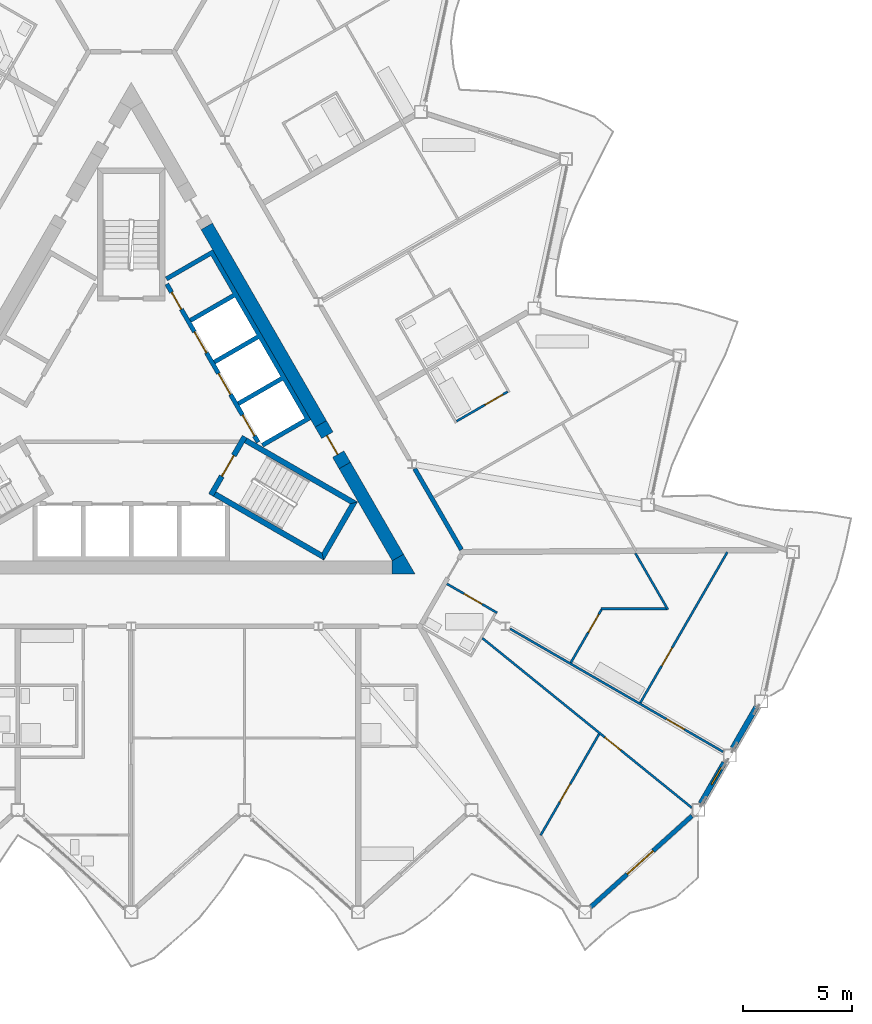
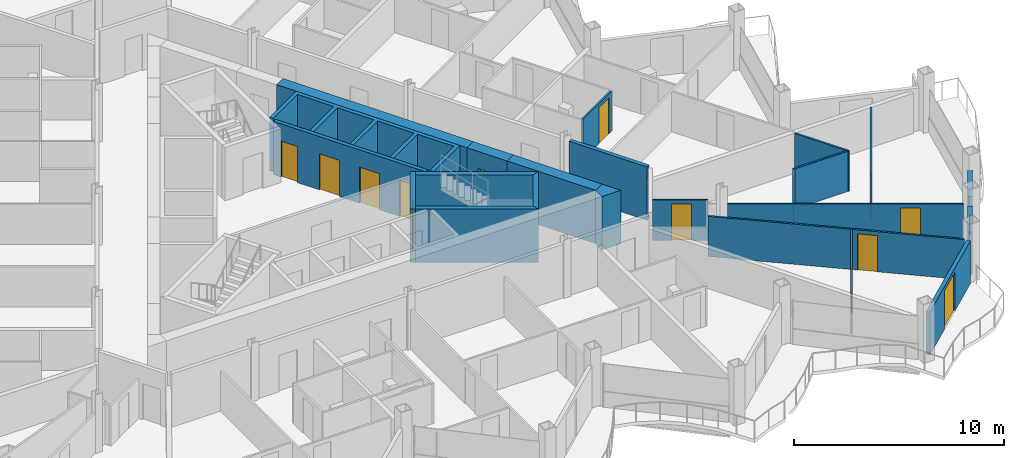
# One storey, part 15 of 26: 23 walls, 14 doors, 1 window, 15 openings.
"""IFC4 building model written with IfcOpenShell, lengths in metres."""

import ifcopenshell
import ifcopenshell.guid

model = None  # the IFC model being written
_history = None  # IfcOwnerHistory: only IFC2X3 demands one
_inside = {}  # id of a spatial element -> (the spatial element, [elements in it])
_under = {}  # id of a project, library or spatial element -> (it, [spatial elements below it])
_declared = {}  # id of a project -> (the project, [libraries it declares])
_typed = {}  # id of a type object -> (the type object, [elements of that type])
_made_of = {}  # id of a material, layer set ... -> (it, [elements and type objects made of it])


def new_model(schema):
    """Start an empty IFC model of exactly this schema.

    Asked for "IFC4X3", IfcOpenShell would pick the latest addendum, in which some entities
    have other attributes; the version numbers below select the first issue.
    IFC2X3 requires an IfcOwnerHistory on every rooted entity: one is made here for all.
    """
    global model, _history
    if schema == "IFC4X3":
        model = ifcopenshell.file(schema_version=(4, 3, 0, 0))
    else:
        model = ifcopenshell.file(schema=schema)
    _inside.clear()
    _under.clear()
    _declared.clear()
    _typed.clear()
    _made_of.clear()
    _history = None
    if model.schema == "IFC2X3":
        org = make("IfcOrganization", Name="unknown")
        user = make(
            "IfcPersonAndOrganization",
            ThePerson=make("IfcPerson", FamilyName="unknown"),
            TheOrganization=org,
        )
        app = make(
            "IfcApplication",
            ApplicationDeveloper=org,
            Version="unknown",
            ApplicationFullName="unknown",
            ApplicationIdentifier="unknown",
        )
        _history = make(
            "IfcOwnerHistory",
            OwningUser=user,
            OwningApplication=app,
            ChangeAction="ADDED",
            CreationDate=0,
        )
    return model


def make(cls, **values):
    """One entity of the class cls with the attributes given. An attribute that is None is left unset."""
    return model.create_entity(
        cls, **{name: value for name, value in values.items() if value is not None}
    )


def rooted(cls, **values):
    """An entity with a GlobalId (a new one), such as an element, a storey or a relation."""
    return make(cls, GlobalId=ifcopenshell.guid.new(), OwnerHistory=_history, **values)


def si_unit(unit_type, name, prefix=None):
    """IfcSIUnit, for example si_unit("LENGTHUNIT", "METRE", prefix="MILLI")."""
    return make("IfcSIUnit", UnitType=unit_type, Prefix=prefix, Name=name)


def assignment(units):
    """IfcUnitAssignment: the units of a project."""
    return None if units is None else make("IfcUnitAssignment", Units=units)


def point(xyz):
    """IfcCartesianPoint."""
    return None if xyz is None else make("IfcCartesianPoint", Coordinates=xyz)


def direction(xyz):
    """IfcDirection."""
    return None if xyz is None else make("IfcDirection", DirectionRatios=xyz)


def frame(location, z_axis=None, x_axis=None):
    """IfcAxis2Placement3D, a coordinate frame: its origin and axes. An axis left out is left unset."""
    return make(
        "IfcAxis2Placement3D",
        Location=point(location),
        Axis=direction(z_axis),
        RefDirection=direction(x_axis),
    )


def frame_2d(location, x_axis=None):
    """IfcAxis2Placement2D, a coordinate frame in the plane: its origin and x axis."""
    return make(
        "IfcAxis2Placement2D", Location=point(location), RefDirection=direction(x_axis)
    )


def origin():
    """The frame at (0, 0, 0) with its axes left unset."""
    return frame((0.0, 0.0, 0.0))


def place(relative_to, where):
    """IfcLocalPlacement: puts the frame where relative to a parent placement (None: the world)."""
    return make(
        "IfcLocalPlacement", PlacementRelTo=relative_to, RelativePlacement=where
    )


def context(
    kind, dimensions, precision=None, world=None, true_north=None, identifier=None
):
    """IfcGeometricRepresentationContext, for example the 3D "Model" context."""
    return make(
        "IfcGeometricRepresentationContext",
        ContextIdentifier=identifier,
        ContextType=kind,
        CoordinateSpaceDimension=dimensions,
        Precision=precision,
        WorldCoordinateSystem=world,
        TrueNorth=true_north,
    )


def subcontext(parent, identifier, kind, view, scale=None):
    """IfcGeometricRepresentationSubContext, for example "Body" below "Model"."""
    return make(
        "IfcGeometricRepresentationSubContext",
        ContextIdentifier=identifier,
        ContextType=kind,
        ParentContext=parent,
        TargetScale=scale,
        TargetView=view,
    )


def project(units=None, contexts=None):
    """IfcProject with its units and contexts."""
    return rooted(
        "IfcProject",
        Name="project",
        RepresentationContexts=contexts,
        UnitsInContext=assignment(units),
    )


def spatial(cls, under=None, at=None, **own):
    """A site, building, storey or space (cls), placed at a placement, below another one or the project."""
    s = rooted(cls, ObjectPlacement=at, **own)
    if under is not None:
        _under.setdefault(under.id(), (under, []))[1].append(s)
    return s


def polyline(points):
    """IfcPolyline through the points."""
    return make("IfcPolyline", Points=[point(p) for p in points])


def profile(cls, at=None, kind="AREA", **sizes):
    """A parametric profile (cls). Its sizes go by their IFC names, for example OverallWidth=200.0."""
    return make(cls, ProfileType=kind, Position=at, **sizes)


def rectangle(**sizes):
    """IfcRectangleProfileDef."""
    return profile("IfcRectangleProfileDef", **sizes)


def outline(outer, holes=None, kind="AREA"):
    """IfcArbitraryClosedProfileDef: a profile drawn as a closed curve; with holes, ...WithVoids."""
    if holes is None:
        return make("IfcArbitraryClosedProfileDef", ProfileType=kind, OuterCurve=outer)
    return make(
        "IfcArbitraryProfileDefWithVoids",
        ProfileType=kind,
        OuterCurve=outer,
        InnerCurves=holes,
    )


def extrude(swept, where, along, depth):
    """IfcExtrudedAreaSolid: the profile swept, set in the frame where, extruded along a direction by depth."""
    return make(
        "IfcExtrudedAreaSolid",
        SweptArea=swept,
        Position=where,
        ExtrudedDirection=direction(along),
        Depth=depth,
    )


def shape(context_of_items, identifier, shape_type, items):
    """IfcShapeRepresentation: the items that make up one representation, for example the "Body"."""
    return make(
        "IfcShapeRepresentation",
        ContextOfItems=context_of_items,
        RepresentationIdentifier=identifier,
        RepresentationType=shape_type,
        Items=items,
    )


def material(Name=None, Category=None):
    """IfcMaterial."""
    return make("IfcMaterial", Name=Name, Category=Category)


def layer(
    of_material, thickness, ventilated=None, Name=None, Category=None, Priority=None
):
    """IfcMaterialLayer: one layer of a wall or slab, of a material (None: an air gap)."""
    return make(
        "IfcMaterialLayer",
        Material=of_material,
        LayerThickness=thickness,
        IsVentilated=ventilated,
        Name=Name,
        Category=Category,
        Priority=Priority,
    )


def layer_set(layers, Name=None):
    """IfcMaterialLayerSet."""
    return make("IfcMaterialLayerSet", MaterialLayers=layers, LayerSetName=Name)


def made_of(thing, what):
    """Note that an element or type object is made of a material, layer set ...; save() writes the relation."""
    if what is not None:
        _made_of.setdefault(what.id(), (what, []))[1].append(thing)
    return thing


def type_object(cls, material=None, **own):
    """A type object (cls), such as IfcWallType, which elements share."""
    return made_of(rooted(cls, **own), material)


def element(
    cls,
    number,
    at=None,
    inside=None,
    cuts=None,
    type_object=None,
    material=None,
    context=None,
    identifier="Body",
    shape_type=None,
    held_by="IfcProductDefinitionShape",
    body=None,
    shapes=None,
    **own,
):
    """One element of the class cls, such as IfcWall. Its Tag is "e" and its number.

    at: its placement. inside: the storey or other place that contains it. cuts: it is an
    opening in that element (IfcRelVoidsElement). A single representation is given by context,
    identifier, shape_type and body (its items); several are given by shapes. held_by: the class
    of the entity that holds the representations. save() writes the other relations.
    """
    e = rooted(cls, Tag="e%d" % number, ObjectPlacement=at, **own)
    if body is not None:
        shapes = [shape(context, identifier, shape_type, body)]
    if shapes is not None:
        e.Representation = make(held_by, Representations=shapes)
    if inside is not None:
        _inside.setdefault(inside.id(), (inside, []))[1].append(e)
    if cuts is not None:
        rooted(
            "IfcRelVoidsElement", RelatingBuildingElement=cuts, RelatedOpeningElement=e
        )
    if type_object is not None:
        _typed.setdefault(type_object.id(), (type_object, []))[1].append(e)
    return made_of(e, material)


def fill(opening, filler):
    """IfcRelFillsElement: the door or window that sits in an opening."""
    return rooted(
        "IfcRelFillsElement",
        RelatingOpeningElement=opening,
        RelatedBuildingElement=filler,
    )


def aggregate(whole, parts):
    """IfcRelAggregates: a whole, such as a stair, and the parts it consists of."""
    return rooted("IfcRelAggregates", RelatingObject=whole, RelatedObjects=parts)


def save(model, path):
    """Write the relations noted so far, then the file.

    IfcRelAggregates (storeys below a building ...), IfcRelContainedInSpatialStructure (elements
    in a storey), IfcRelDefinesByType, IfcRelAssociatesMaterial and IfcRelDeclares: one each for
    every whole, place, type object, material and project.
    """
    for whole, parts in _under.values():
        aggregate(whole, parts)
    for where, things in _inside.values():
        rooted(
            "IfcRelContainedInSpatialStructure",
            RelatedElements=things,
            RelatingStructure=where,
        )
    for kind, things in _typed.values():
        rooted("IfcRelDefinesByType", RelatedObjects=things, RelatingType=kind)
    for what, things in _made_of.values():
        rooted("IfcRelAssociatesMaterial", RelatedObjects=things, RelatingMaterial=what)
    for by, libraries in _declared.values():
        rooted("IfcRelDeclares", RelatingContext=by, RelatedDefinitions=libraries)
    model.write(path)


model = new_model("IFC4")

# Units and contexts
model_context = context("Model", 3, precision=1e-05, world=origin(), true_north=direction((0.0, 1.0)))
body_context = subcontext(model_context, "Body", "Model", "MODEL_VIEW")
ifc_project = project(units=[si_unit("LENGTHUNIT", "METRE"), si_unit("AREAUNIT", "SQUARE_METRE"), si_unit("VOLUMEUNIT", "CUBIC_METRE"), si_unit("PLANEANGLEUNIT", "RADIAN"), si_unit("MASSUNIT", "GRAM", prefix="KILO")], contexts=[model_context])

# Site, building, storey
site_placement = place(None, origin())
site = spatial("IfcSite", under=ifc_project, at=site_placement, CompositionType="ELEMENT")
building_placement = place(site_placement, origin())
building = spatial("IfcBuilding", under=site, at=building_placement, Name="Cormorant Prow Tower", CompositionType="ELEMENT")
storey_placement = place(building_placement, frame((0.0, 0.0, 339.199951171875)))
storey = spatial("IfcBuildingStorey", under=building, at=storey_placement, Name="L76", CompositionType="ELEMENT", Elevation=339.199951171875)

# Walls
ifc_material_1 = material(Name="Concrete 8000 psi", Category="concrete")
ifc_layer_1 = layer(ifc_material_1, 0.60009765625)
ifc_layer_set_1 = layer_set([ifc_layer_1], Name="Concrete 8000 psi")
wall_type_1 = type_object("IfcWallType", Name="Core shear wall 600", PredefinedType="SHEAR", material=ifc_layer_set_1)
wall_1_placement = place(storey_placement, frame((8.686279296875, -0.6337890625, 0.0), z_axis=(0.0, 0.0, 1.0), x_axis=(-0.50001836461, 0.866014800712, 0.0)))
element("IfcWall", 1, at=wall_1_placement, inside=storey, type_object=wall_type_1, Name="Core wall", PredefinedType="SHEAR", context=body_context, shape_type="SweptSolid", body=[
    extrude(rectangle(XDim=10.45068359375, YDim=0.60009765625, at=frame_2d((5.225341796875, 0.0))), origin(), (0.0, 0.0, 1.0), 3.10009765625),
])
wall_2_placement = place(storey_placement, frame((12.220703125, -6.755615234375, 0.0), z_axis=(0.0, 0.0, 1.0), x_axis=(-0.50000604952, 0.866021911064, 0.0)))
element("IfcWall", 2, at=wall_2_placement, inside=storey, type_object=wall_type_1, Name="Core wall", PredefinedType="SHEAR", context=body_context, shape_type="SweptSolid", body=[
    extrude(rectangle(XDim=4.86865234375, YDim=0.60009765625, at=frame_2d((2.434326171875, 0.0))), origin(), (0.0, 0.0, 1.0), 3.10009765625),
])
wall_3_placement = place(storey_placement, origin())
element("IfcWall", 3, at=wall_3_placement, inside=storey, type_object=wall_type_1, Name="Core wall corner", PredefinedType="SHEAR", context=body_context, shape_type="SweptSolid", body=[
    extrude(outline(polyline([(11.960693359375, -7.505615234375), (11.960693359375, -6.905517578125), (12.48046875, -6.605712890625), (13.0, -7.505615234375), (11.960693359375, -7.505615234375)])), origin(), (0.0, 0.0, 1.0), 3.10009765625),
])

# Wall, opening, door
wall_4_placement = place(storey_placement, frame((9.786376953125, -2.539306640625, 0.0), z_axis=(0.0, 0.0, 1.0), x_axis=(-0.499981787252, 0.866035918664, 0.0)))
wall_4 = element("IfcWall", 4, at=wall_4_placement, inside=storey, type_object=wall_type_1, Name="Core wall door panel", PredefinedType="SHEAR", context=body_context, shape_type="SweptSolid", body=[
    extrude(rectangle(XDim=2.2001953125, YDim=0.60009765625, at=frame_2d((1.10009765625, 0.0))), origin(), (0.0, 0.0, 1.0), 3.10009765625),
])
opening_1_placement = place(wall_4_placement, frame((0.60009765625, 0.0, 0.0)))
opening_1 = element("IfcOpeningElement", 5, at=opening_1_placement, cuts=wall_4, Name="Opening L76-C16", PredefinedType="OPENING", context=body_context, shape_type="SweptSolid", body=[
    extrude(rectangle(XDim=1.0, YDim=2.10009765625, at=frame_2d((0.5, 1.050048828125))), frame((0.0, 0.31005859375, 0.0), z_axis=(0.0, -1.0, 0.0), x_axis=(1.0, 0.0, 0.0)), (0.0, 0.0, 1.0), 0.6201171875),
])
ifc_material_2 = material(Name="Painted steel", Category="steel")
door_type_1 = type_object("IfcDoorType", Name="Service door 1000x2100", OperationType="NOTDEFINED", PredefinedType="DOOR", material=ifc_material_2)
door_1_placement = place(opening_1_placement, origin())
door_1 = element("IfcDoor", 6, at=door_1_placement, inside=storey, type_object=door_type_1, Name="Core door, Telecom room", OperationType="SINGLE_SWING_LEFT", OverallHeight=2.10009765625, OverallWidth=1.0, PredefinedType="DOOR", context=body_context, shape_type="SweptSolid", body=[
    extrude(rectangle(XDim=1.0, YDim=2.10009765625, at=frame_2d((0.5, 1.050048828125))), frame((0.0, 0.05517578125, 0.0), z_axis=(0.0, -1.0, 0.0), x_axis=(1.0, 0.0, 0.0)), (0.0, 0.0, 1.0), 0.050048828125),
])
fill(opening_1, door_1)

# Wall
ifc_material_3 = material(Name="Gypsum board corridor wall")
ifc_layer_2 = layer(ifc_material_3, 0.199951171875)
ifc_layer_set_2 = layer_set([ifc_layer_2], Name="Gypsum board corridor wall")
wall_type_2 = type_object("IfcWallType", Name="Corridor wall 200", PredefinedType="PARTITIONING", material=ifc_layer_set_2)
wall_5_placement = place(storey_placement, frame((12.987548828125, -2.68408203125, 0.0), z_axis=(0.0, 0.0, 1.0), x_axis=(0.500003406062, -0.866023437285, 0.0)))
element("IfcWall", 7, at=wall_5_placement, inside=storey, type_object=wall_type_2, Name="Corridor wall", PredefinedType="PARTITIONING", context=body_context, shape_type="SweptSolid", body=[
    extrude(rectangle(XDim=4.28759765625, YDim=0.199951171875, at=frame_2d((2.143798828125, 0.0))), origin(), (0.0, 0.0, 1.0), 3.10009765625),
])

# Wall, opening, door
ifc_material_4 = material(Name="Gypsum board partition")
ifc_layer_3 = layer(ifc_material_4, 0.10009765625)
ifc_layer_set_3 = layer_set([ifc_layer_3], Name="Gypsum board partition")
wall_type_3 = type_object("IfcWallType", Name="Internal partition 100", PredefinedType="PARTITIONING", material=ifc_layer_set_3)
wall_6_placement = place(storey_placement, frame((16.0908203125, -10.451171875, 0.0), z_axis=(0.0, 0.0, 1.0), x_axis=(0.77714308631, -0.629323941544, 0.0)))
wall_6 = element("IfcWall", 8, at=wall_6_placement, inside=storey, type_object=wall_type_3, Name="Internal partition", PredefinedType="PARTITIONING", context=body_context, shape_type="SweptSolid", body=[
    extrude(rectangle(XDim=12.345947265625, YDim=0.10009765625, at=frame_2d((6.1728515625, 0.0))), origin(), (0.0, 0.0, 1.0), 2.330078125),
])
opening_2_placement = place(wall_6_placement, frame((7.21142578125, 0.0, 0.0)))
opening_2 = element("IfcOpeningElement", 9, at=opening_2_placement, cuts=wall_6, Name="Opening L76-F21", PredefinedType="OPENING", context=body_context, shape_type="SweptSolid", body=[
    extrude(rectangle(XDim=0.949951171875, YDim=2.10009765625, at=frame_2d((0.47509765625, 1.050048828125))), frame((0.0, 0.06005859375, 0.0), z_axis=(0.0, -1.0, 0.0), x_axis=(1.0, 0.0, 0.0)), (0.0, 0.0, 1.0), 0.1201171875),
])
ifc_material_5 = material(Name="Timber door leaf", Category="wood")
door_type_2 = type_object("IfcDoorType", Name="Bathroom door 950x2100", OperationType="NOTDEFINED", PredefinedType="DOOR", material=ifc_material_5)
door_2_placement = place(opening_2_placement, origin())
door_2 = element("IfcDoor", 10, at=door_2_placement, inside=storey, type_object=door_type_2, Name="Bedroom door", OperationType="SINGLE_SWING_LEFT", OverallHeight=2.10009765625, OverallWidth=0.949951171875, PredefinedType="DOOR", context=body_context, shape_type="SweptSolid", body=[
    extrude(rectangle(XDim=0.949951171875, YDim=2.10009765625, at=frame_2d((0.47509765625, 1.050048828125))), frame((0.0, 0.02490234375, 0.0), z_axis=(0.0, -1.0, 0.0), x_axis=(1.0, 0.0, 0.0)), (0.0, 0.0, 1.0), 0.050048828125),
])
fill(opening_2, door_2)

wall_7_placement = place(storey_placement, frame((17.364501953125, -10.025390625, 0.0), z_axis=(0.0, 0.0, 1.0), x_axis=(0.866021046153, -0.500007547564, 0.0)))
wall_7 = element("IfcWall", 11, at=wall_7_placement, inside=storey, type_object=wall_type_3, Name="Internal partition", PredefinedType="PARTITIONING", context=body_context, shape_type="SweptSolid", body=[
    extrude(rectangle(XDim=11.267333984375, YDim=0.10009765625, at=frame_2d((5.6337890625, 0.0))), origin(), (0.0, 0.0, 1.0), 2.330078125),
])
opening_3_placement = place(wall_7_placement, frame((8.263916015625, 0.0, 0.0)))
opening_3 = element("IfcOpeningElement", 12, at=opening_3_placement, cuts=wall_7, Name="Opening L76-F20", PredefinedType="OPENING", context=body_context, shape_type="SweptSolid", body=[
    extrude(rectangle(XDim=0.949951171875, YDim=2.10009765625, at=frame_2d((0.47509765625, 1.050048828125))), frame((0.0, 0.06005859375, 0.0), z_axis=(0.0, -1.0, 0.0), x_axis=(1.0, 0.0, 0.0)), (0.0, 0.0, 1.0), 0.1201171875),
])
door_3_placement = place(opening_3_placement, origin())
door_3 = element("IfcDoor", 13, at=door_3_placement, inside=storey, type_object=door_type_2, Name="Dining room door", OperationType="SINGLE_SWING_LEFT", OverallHeight=2.10009765625, OverallWidth=0.949951171875, PredefinedType="DOOR", context=body_context, shape_type="SweptSolid", body=[
    extrude(rectangle(XDim=0.949951171875, YDim=2.10009765625, at=frame_2d((0.47509765625, 1.050048828125))), frame((0.0, 0.02490234375, 0.0), z_axis=(0.0, -1.0, 0.0), x_axis=(1.0, 0.0, 0.0)), (0.0, 0.0, 1.0), 0.050048828125),
])
fill(opening_3, door_3)

wall_8_placement = place(storey_placement, frame((23.330810546875, -13.412353515625, 0.0), z_axis=(0.0, 0.0, 1.0), x_axis=(0.499994510044, 0.866028573389, 0.0)))
wall_8 = element("IfcWall", 14, at=wall_8_placement, inside=storey, type_object=wall_type_3, Name="Internal partition", PredefinedType="PARTITIONING", context=body_context, shape_type="SweptSolid", body=[
    extrude(rectangle(XDim=7.97509765625, YDim=0.10009765625, at=frame_2d((3.987548828125, 0.0))), origin(), (0.0, 0.0, 1.0), 2.330078125),
])
opening_4_placement = place(wall_8_placement, frame((1.95654296875, 0.0, 0.0)))
opening_4 = element("IfcOpeningElement", 15, at=opening_4_placement, cuts=wall_8, Name="Opening L76-F19", PredefinedType="OPENING", context=body_context, shape_type="SweptSolid", body=[
    extrude(rectangle(XDim=0.949951171875, YDim=2.10009765625, at=frame_2d((0.47509765625, 1.050048828125))), frame((0.0, 0.06005859375, 0.0), z_axis=(0.0, -1.0, 0.0), x_axis=(1.0, 0.0, 0.0)), (0.0, 0.0, 1.0), 0.1201171875),
])
door_4_placement = place(opening_4_placement, origin())
door_4 = element("IfcDoor", 16, at=door_4_placement, inside=storey, type_object=door_type_2, Name="Kitchen door", OperationType="SINGLE_SWING_RIGHT", OverallHeight=2.10009765625, OverallWidth=0.949951171875, PredefinedType="DOOR", context=body_context, shape_type="SweptSolid", body=[
    extrude(rectangle(XDim=0.949951171875, YDim=2.10009765625, at=frame_2d((0.47509765625, 1.050048828125))), frame((0.0, 0.02490234375, 0.0), z_axis=(0.0, -1.0, 0.0), x_axis=(1.0, 0.0, 0.0)), (0.0, 0.0, 1.0), 0.050048828125),
])
fill(opening_4, door_4)

wall_9_placement = place(storey_placement, frame((18.761474609375, -19.484619140625, 0.0), z_axis=(0.0, 0.0, 1.0), x_axis=(0.500031527488, 0.866007200615, 0.0)))
wall_9 = element("IfcWall", 17, at=wall_9_placement, inside=storey, type_object=wall_type_3, Name="Internal partition", PredefinedType="PARTITIONING", context=body_context, shape_type="SweptSolid", body=[
    extrude(rectangle(XDim=5.356201171875, YDim=0.10009765625, at=frame_2d((2.67822265625, 0.0))), origin(), (0.0, 0.0, 1.0), 2.330078125),
])
opening_5_placement = place(wall_9_placement, frame((1.75244140625, 0.0, 0.0)))
opening_5 = element("IfcOpeningElement", 18, at=opening_5_placement, cuts=wall_9, Name="Opening L76-F22", PredefinedType="OPENING", context=body_context, shape_type="SweptSolid", body=[
    extrude(rectangle(XDim=0.949951171875, YDim=2.10009765625, at=frame_2d((0.47509765625, 1.050048828125))), frame((0.0, 0.06005859375, 0.0), z_axis=(0.0, -1.0, 0.0), x_axis=(1.0, 0.0, 0.0)), (0.0, 0.0, 1.0), 0.1201171875),
])
door_5_placement = place(opening_5_placement, origin())
door_5 = element("IfcDoor", 19, at=door_5_placement, inside=storey, type_object=door_type_2, Name="Bedroom door", OperationType="SINGLE_SWING_LEFT", OverallHeight=2.10009765625, OverallWidth=0.949951171875, PredefinedType="DOOR", context=body_context, shape_type="SweptSolid", body=[
    extrude(rectangle(XDim=0.949951171875, YDim=2.10009765625, at=frame_2d((0.47509765625, 1.050048828125))), frame((0.0, 0.02490234375, 0.0), z_axis=(0.0, -1.0, 0.0), x_axis=(1.0, 0.0, 0.0)), (0.0, 0.0, 1.0), 0.050048828125),
])
fill(opening_5, door_5)

# Walls
wall_10_placement = place(storey_placement, frame((23.10400390625, -6.563232421875, 0.0), z_axis=(0.0, 0.0, 1.0), x_axis=(0.499999078476, -0.866025935826, 0.0)))
element("IfcWall", 20, at=wall_10_placement, inside=storey, type_object=wall_type_3, Name="Internal partition", PredefinedType="PARTITIONING", context=body_context, shape_type="SweptSolid", body=[
    extrude(rectangle(XDim=2.9794921875, YDim=0.10009765625, at=frame_2d((1.48974609375, 0.0))), origin(), (0.0, 0.0, 1.0), 2.330078125),
])
wall_11_placement = place(storey_placement, frame((21.522705078125, -9.100341796875, 0.0), z_axis=(0.0, 0.0, 1.0), x_axis=(1.0, 0.0, 0.0)))
element("IfcWall", 21, at=wall_11_placement, inside=storey, type_object=wall_type_3, Name="Internal partition", PredefinedType="PARTITIONING", context=body_context, shape_type="SweptSolid", body=[
    extrude(rectangle(XDim=2.99609375, YDim=0.10009765625, at=frame_2d((1.498046875, 0.0))), origin(), (0.0, 0.0, 1.0), 2.330078125),
])

# Wall, opening, door
wall_12_placement = place(storey_placement, frame((20.14501953125, -11.572998046875, 0.0), z_axis=(0.0, 0.0, 1.0), x_axis=(0.49998612769, 0.866033412818, 0.0)))
wall_12 = element("IfcWall", 22, at=wall_12_placement, inside=storey, type_object=wall_type_3, Name="Internal partition", PredefinedType="PARTITIONING", context=body_context, shape_type="SweptSolid", body=[
    extrude(rectangle(XDim=2.80517578125, YDim=0.10009765625, at=frame_2d((1.402587890625, 0.0))), origin(), (0.0, 0.0, 1.0), 2.330078125),
])
opening_6_placement = place(wall_12_placement, frame((1.605224609375, 0.0, 0.0)))
opening_6 = element("IfcOpeningElement", 23, at=opening_6_placement, cuts=wall_12, Name="Opening L76-F18", PredefinedType="OPENING", context=body_context, shape_type="SweptSolid", body=[
    extrude(rectangle(XDim=0.949951171875, YDim=2.10009765625, at=frame_2d((0.47509765625, 1.050048828125))), frame((0.0, 0.06005859375, 0.0), z_axis=(0.0, -1.0, 0.0), x_axis=(1.0, 0.0, 0.0)), (0.0, 0.0, 1.0), 0.1201171875),
])
door_6_placement = place(opening_6_placement, origin())
door_6 = element("IfcDoor", 24, at=door_6_placement, inside=storey, type_object=door_type_2, Name="Living room door", OperationType="SINGLE_SWING_RIGHT", OverallHeight=2.10009765625, OverallWidth=0.949951171875, PredefinedType="DOOR", context=body_context, shape_type="SweptSolid", body=[
    extrude(rectangle(XDim=0.949951171875, YDim=2.10009765625, at=frame_2d((0.47509765625, 1.050048828125))), frame((0.0, 0.02490234375, 0.0), z_axis=(0.0, -1.0, 0.0), x_axis=(1.0, 0.0, 0.0)), (0.0, 0.0, 1.0), 0.050048828125),
])
fill(opening_6, door_6)

wall_13_placement = place(storey_placement, frame((14.90869140625, -0.51171875, 0.0), z_axis=(0.0, 0.0, 1.0), x_axis=(0.866019956843, 0.50000943426, 0.0)))
wall_13 = element("IfcWall", 25, at=wall_13_placement, inside=storey, type_object=wall_type_3, Name="Internal partition", PredefinedType="PARTITIONING", context=body_context, shape_type="SweptSolid", body=[
    extrude(rectangle(XDim=2.7001953125, YDim=0.10009765625, at=frame_2d((1.35009765625, 0.0))), origin(), (0.0, 0.0, 1.0), 2.330078125),
])
opening_7_placement = place(wall_13_placement, frame((1.5, 0.0, 0.0)))
opening_7 = element("IfcOpeningElement", 26, at=opening_7_placement, cuts=wall_13, Name="Opening L76-F24", PredefinedType="OPENING", context=body_context, shape_type="SweptSolid", body=[
    extrude(rectangle(XDim=0.949951171875, YDim=2.10009765625, at=frame_2d((0.47509765625, 1.050048828125))), frame((0.0, 0.06005859375, 0.0), z_axis=(0.0, -1.0, 0.0), x_axis=(1.0, 0.0, 0.0)), (0.0, 0.0, 1.0), 0.1201171875),
])
door_7_placement = place(opening_7_placement, origin())
door_7 = element("IfcDoor", 27, at=door_7_placement, inside=storey, type_object=door_type_2, Name="Living room door", OperationType="SINGLE_SWING_RIGHT", OverallHeight=2.10009765625, OverallWidth=0.949951171875, PredefinedType="DOOR", context=body_context, shape_type="SweptSolid", body=[
    extrude(rectangle(XDim=0.949951171875, YDim=2.10009765625, at=frame_2d((0.47509765625, 1.050048828125))), frame((0.0, 0.02490234375, 0.0), z_axis=(0.0, -1.0, 0.0), x_axis=(1.0, 0.0, 0.0)), (0.0, 0.0, 1.0), 0.050048828125),
])
fill(opening_7, door_7)

wall_14_placement = place(storey_placement, frame((14.467529296875, -7.963623046875, 0.0), z_axis=(0.0, 0.0, 1.0), x_axis=(0.865989200783, -0.500062700197, 0.0)))
wall_14 = element("IfcWall", 28, at=wall_14_placement, inside=storey, type_object=wall_type_3, Name="Internal partition", PredefinedType="PARTITIONING", context=body_context, shape_type="SweptSolid", body=[
    extrude(rectangle(XDim=2.650146484375, YDim=0.10009765625, at=frame_2d((1.3251953125, 0.0))), origin(), (0.0, 0.0, 1.0), 2.330078125),
])
opening_8_placement = place(wall_14_placement, frame((0.904541015625, 0.0, 0.0)))
opening_8 = element("IfcOpeningElement", 29, at=opening_8_placement, cuts=wall_14, Name="Opening L76-F17", PredefinedType="OPENING", context=body_context, shape_type="SweptSolid", body=[
    extrude(rectangle(XDim=0.949951171875, YDim=2.10009765625, at=frame_2d((0.47509765625, 1.050048828125))), frame((0.0, 0.06005859375, 0.0), z_axis=(0.0, -1.0, 0.0), x_axis=(1.0, 0.0, 0.0)), (0.0, 0.0, 1.0), 0.1201171875),
])
door_8_placement = place(opening_8_placement, origin())
door_8 = element("IfcDoor", 30, at=door_8_placement, inside=storey, type_object=door_type_2, Name="Living room door", OperationType="SINGLE_SWING_RIGHT", OverallHeight=2.10009765625, OverallWidth=0.949951171875, PredefinedType="DOOR", context=body_context, shape_type="SweptSolid", body=[
    extrude(rectangle(XDim=0.949951171875, YDim=2.10009765625, at=frame_2d((0.47509765625, 1.050048828125))), frame((0.0, 0.02490234375, 0.0), z_axis=(0.0, -1.0, 0.0), x_axis=(1.0, 0.0, 0.0)), (0.0, 0.0, 1.0), 0.050048828125),
])
fill(opening_8, door_8)

# Wall, openings, doors
ifc_material_6 = material(Name="Concrete 5000 psi", Category="concrete")
ifc_layer_4 = layer(ifc_material_6, 0.199951171875)
ifc_layer_set_4 = layer_set([ifc_layer_4], Name="Concrete 5000 psi")
wall_type_4 = type_object("IfcWallType", Name="Lift lobby wall 200", PredefinedType="SOLIDWALL", material=ifc_layer_set_4)
wall_15_placement = place(storey_placement, frame((5.817138671875, -1.4755859375, 0.0), z_axis=(0.0, 0.0, 1.0), x_axis=(-0.500002616675, 0.866023893041, 0.0)))
wall_15 = element("IfcWall", 31, at=wall_15_placement, inside=storey, type_object=wall_type_4, Name="Lift lobby wall, ENE block", PredefinedType="SOLIDWALL", context=body_context, shape_type="SweptSolid", body=[
    extrude(rectangle(XDim=8.373046875, YDim=0.199951171875, at=frame_2d((4.1865234375, 0.0))), origin(), (0.0, 0.0, 1.0), 3.10009765625),
])
opening_9_placement = place(wall_15_placement, frame((0.336669921875, 0.0, 0.0)))
opening_9 = element("IfcOpeningElement", 32, at=opening_9_placement, cuts=wall_15, Name="Opening L76-C05", PredefinedType="OPENING", context=body_context, shape_type="SweptSolid", body=[
    extrude(rectangle(XDim=1.10009765625, YDim=2.10009765625, at=frame_2d((0.550048828125, 1.050048828125))), frame((0.0, 0.10986328125, 0.0), z_axis=(0.0, -1.0, 0.0), x_axis=(1.0, 0.0, 0.0)), (0.0, 0.0, 1.0), 0.219970703125),
])
opening_10_placement = place(wall_15_placement, frame((2.53662109375, 0.0, 0.0)))
opening_10 = element("IfcOpeningElement", 33, at=opening_10_placement, cuts=wall_15, Name="Opening L76-C06", PredefinedType="OPENING", context=body_context, shape_type="SweptSolid", body=[
    extrude(rectangle(XDim=1.10009765625, YDim=2.10009765625, at=frame_2d((0.550048828125, 1.050048828125))), frame((0.0, 0.10986328125, 0.0), z_axis=(0.0, -1.0, 0.0), x_axis=(1.0, 0.0, 0.0)), (0.0, 0.0, 1.0), 0.219970703125),
])
opening_11_placement = place(wall_15_placement, frame((4.736572265625, 0.0, 0.0)))
opening_11 = element("IfcOpeningElement", 34, at=opening_11_placement, cuts=wall_15, Name="Opening L76-C07", PredefinedType="OPENING", context=body_context, shape_type="SweptSolid", body=[
    extrude(rectangle(XDim=1.10009765625, YDim=2.10009765625, at=frame_2d((0.550048828125, 1.050048828125))), frame((0.0, 0.10986328125, 0.0), z_axis=(0.0, -1.0, 0.0), x_axis=(1.0, 0.0, 0.0)), (0.0, 0.0, 1.0), 0.219970703125),
])
opening_12_placement = place(wall_15_placement, frame((7.03662109375, 0.0, 0.0)))
opening_12 = element("IfcOpeningElement", 35, at=opening_12_placement, cuts=wall_15, Name="Opening L76-C08", PredefinedType="OPENING", context=body_context, shape_type="SweptSolid", body=[
    extrude(rectangle(XDim=0.89990234375, YDim=2.10009765625, at=frame_2d((0.449951171875, 1.050048828125))), frame((0.0, 0.10986328125, 0.0), z_axis=(0.0, -1.0, 0.0), x_axis=(1.0, 0.0, 0.0)), (0.0, 0.0, 1.0), 0.219970703125),
])
ifc_material_7 = material(Name="Painted steel", Category="steel")
door_type_3 = type_object("IfcDoorType", Name="Lift landing door 1100x2100", OperationType="SLIDING_TO_LEFT", PredefinedType="DOOR", material=ifc_material_7)
door_9_placement = place(opening_9_placement, origin())
door_9 = element("IfcDoor", 36, at=door_9_placement, inside=storey, type_object=door_type_3, Name="Landing door HR2", OperationType="SLIDING_TO_LEFT", OverallHeight=2.10009765625, OverallWidth=1.10009765625, PredefinedType="DOOR", context=body_context, shape_type="SweptSolid", body=[
    extrude(rectangle(XDim=1.10009765625, YDim=2.10009765625, at=frame_2d((0.550048828125, 1.050048828125))), frame((0.0, 0.02490234375, 0.0), z_axis=(0.0, -1.0, 0.0), x_axis=(1.0, 0.0, 0.0)), (0.0, 0.0, 1.0), 0.050048828125),
])
fill(opening_9, door_9)
door_10_placement = place(opening_10_placement, origin())
door_10 = element("IfcDoor", 37, at=door_10_placement, inside=storey, type_object=door_type_3, Name="Landing door HR3", OperationType="SLIDING_TO_LEFT", OverallHeight=2.10009765625, OverallWidth=1.10009765625, PredefinedType="DOOR", context=body_context, shape_type="SweptSolid", body=[
    extrude(rectangle(XDim=1.10009765625, YDim=2.10009765625, at=frame_2d((0.550048828125, 1.050048828125))), frame((0.0, 0.02490234375, 0.0), z_axis=(0.0, -1.0, 0.0), x_axis=(1.0, 0.0, 0.0)), (0.0, 0.0, 1.0), 0.050048828125),
])
fill(opening_10, door_10)
door_11_placement = place(opening_11_placement, origin())
door_11 = element("IfcDoor", 38, at=door_11_placement, inside=storey, type_object=door_type_3, Name="Landing door HR4", OperationType="SLIDING_TO_LEFT", OverallHeight=2.10009765625, OverallWidth=1.10009765625, PredefinedType="DOOR", context=body_context, shape_type="SweptSolid", body=[
    extrude(rectangle(XDim=1.10009765625, YDim=2.10009765625, at=frame_2d((0.550048828125, 1.050048828125))), frame((0.0, 0.02490234375, 0.0), z_axis=(0.0, -1.0, 0.0), x_axis=(1.0, 0.0, 0.0)), (0.0, 0.0, 1.0), 0.050048828125),
])
fill(opening_11, door_11)
ifc_material_8 = material(Name="Painted steel", Category="steel")
door_type_4 = type_object("IfcDoorType", Name="Service door 900x2100", OperationType="NOTDEFINED", PredefinedType="DOOR", material=ifc_material_8)
door_12_placement = place(opening_12_placement, origin())
door_12 = element("IfcDoor", 39, at=door_12_placement, inside=storey, type_object=door_type_4, Name="Service door, Refuse store", OperationType="SINGLE_SWING_RIGHT", OverallHeight=2.10009765625, OverallWidth=0.89990234375, PredefinedType="DOOR", context=body_context, shape_type="SweptSolid", body=[
    extrude(rectangle(XDim=0.89990234375, YDim=2.10009765625, at=frame_2d((0.449951171875, 1.050048828125))), frame((0.0, 0.02490234375, 0.0), z_axis=(0.0, -1.0, 0.0), x_axis=(1.0, 0.0, 0.0)), (0.0, 0.0, 1.0), 0.050048828125),
])
fill(opening_12, door_12)

# Walls
ifc_material_9 = material(Name="Concrete 8000 psi", Category="concrete")
ifc_layer_5 = layer(ifc_material_9, 0.199951171875)
ifc_layer_set_5 = layer_set([ifc_layer_5], Name="Concrete 8000 psi")
wall_type_5 = type_object("IfcWallType", Name="Lift shaft wall 200", PredefinedType="SHEAR", material=ifc_layer_set_5)
wall_16_placement = place(storey_placement, origin())
element("IfcWall", 40, at=wall_16_placement, inside=storey, type_object=wall_type_5, Name="Lift shaft walls, ENE block", PredefinedType="SHEAR", context=body_context, shape_type="SweptSolid", body=[
    extrude(outline(polyline([(1.560546875, 6.09716796875), (3.730712890625, 7.35009765625), (8.230712890625, -0.444091796875), (6.060546875, -1.697021484375), (5.96044921875, -1.52392578125), (7.952392578125, -0.373779296875), (6.952392578125, 1.358154296875), (4.96044921875, 0.2080078125), (4.860595703125, 0.38134765625), (6.852294921875, 1.53125), (5.852294921875, 3.263427734375), (3.860595703125, 2.11328125), (3.760498046875, 2.28662109375), (5.75244140625, 3.4365234375), (4.75244140625, 5.168701171875), (2.760498046875, 4.018798828125), (2.660400390625, 4.19189453125), (4.65234375, 5.341796875), (3.65234375, 7.073974609375), (1.660400390625, 5.923828125), (1.560546875, 6.09716796875)])), origin(), (0.0, 0.0, 1.0), 3.10009765625),
])
ifc_material_10 = material(Name="Concrete 8000 psi", Category="concrete")
ifc_layer_6 = layer(ifc_material_10, 0.25)
ifc_layer_set_6 = layer_set([ifc_layer_6], Name="Concrete 8000 psi")
wall_type_6 = type_object("IfcWallType", Name="Stair wall 250", PredefinedType="SHEAR", material=ifc_layer_set_6)
wall_17_placement = place(storey_placement, origin())
element("IfcWall", 41, at=wall_17_placement, inside=storey, type_object=wall_type_6, Name="Stair ST2 enclosure wall (flank)", PredefinedType="SHEAR", context=body_context, shape_type="SweptSolid", body=[
    extrude(outline(polyline([(3.76318359375, -3.95556640625), (8.82958984375, -6.880615234375), (8.738037109375, -6.5390625), (3.88818359375, -3.739013671875), (3.76318359375, -3.95556640625)])), origin(), (0.0, 0.0, 1.0), 3.10009765625),
])
wall_18_placement = place(storey_placement, origin())
element("IfcWall", 42, at=wall_18_placement, inside=storey, type_object=wall_type_6, Name="Stair ST2 enclosure wall (end)", PredefinedType="SHEAR", context=body_context, shape_type="SweptSolid", body=[
    extrude(outline(polyline([(8.82958984375, -6.880615234375), (10.37353515625, -4.206298828125), (10.031982421875, -4.2978515625), (8.738037109375, -6.5390625), (8.82958984375, -6.880615234375)])), origin(), (0.0, 0.0, 1.0), 3.10009765625),
])
wall_19_placement = place(storey_placement, origin())
element("IfcWall", 43, at=wall_19_placement, inside=storey, type_object=wall_type_6, Name="Stair ST2 enclosure wall (flank)", PredefinedType="SHEAR", context=body_context, shape_type="SweptSolid", body=[
    extrude(outline(polyline([(10.031982421875, -4.2978515625), (10.37353515625, -4.206298828125), (5.30712890625, -1.28125), (5.18212890625, -1.497802734375), (10.031982421875, -4.2978515625)])), origin(), (0.0, 0.0, 1.0), 3.10009765625),
])

# Wall, opening, door
wall_20_placement = place(storey_placement, frame((3.655029296875, -3.89306640625, 0.0), z_axis=(0.0, 0.0, 1.0), x_axis=(0.499982516597, 0.866035497597, 0.0)))
wall_20 = element("IfcWall", 44, at=wall_20_placement, inside=storey, type_object=wall_type_6, Name="Stair ST2 door wall", PredefinedType="SHEAR", context=body_context, shape_type="SweptSolid", body=[
    extrude(rectangle(XDim=3.087890625, YDim=0.25, at=frame_2d((1.5439453125, 0.0))), origin(), (0.0, 0.0, 1.0), 3.10009765625),
])
opening_13_placement = place(wall_20_placement, frame((0.993896484375, 0.0, 0.0)))
opening_13 = element("IfcOpeningElement", 45, at=opening_13_placement, cuts=wall_20, Name="Opening L76-C13", PredefinedType="OPENING", context=body_context, shape_type="SweptSolid", body=[
    extrude(rectangle(XDim=1.10009765625, YDim=2.10009765625, at=frame_2d((0.550048828125, 1.050048828125))), frame((0.0, 0.135009765625, 0.0), z_axis=(0.0, -1.0, 0.0), x_axis=(1.0, 0.0, 0.0)), (0.0, 0.0, 1.0), 0.27001953125),
])
ifc_material_11 = material(Name="Painted steel", Category="steel")
door_type_5 = type_object("IfcDoorType", Name="Stair door 1100x2100", OperationType="NOTDEFINED", PredefinedType="DOOR", material=ifc_material_11)
door_13_placement = place(opening_13_placement, origin())
door_13 = element("IfcDoor", 46, at=door_13_placement, inside=storey, type_object=door_type_5, Name="Stair ST2 door", OperationType="SINGLE_SWING_RIGHT", OverallHeight=2.10009765625, OverallWidth=1.10009765625, PredefinedType="DOOR", context=body_context, shape_type="SweptSolid", body=[
    extrude(rectangle(XDim=1.10009765625, YDim=2.10009765625, at=frame_2d((0.550048828125, 1.050048828125))), frame((0.0, 0.02490234375, 0.0), z_axis=(0.0, -1.0, 0.0), x_axis=(1.0, 0.0, 0.0)), (0.0, 0.0, 1.0), 0.050048828125),
])
fill(opening_13, door_13)

# Wall, opening, window
ifc_material_12 = material(Name="Terracotta", Category="masonry")
ifc_layer_7 = layer(ifc_material_12, 0.25)
ifc_layer_set_7 = layer_set([ifc_layer_7], Name="Terracotta")
wall_type_7 = type_object("IfcWallType", Name="Terracotta bay wall 250", PredefinedType="SOLIDWALL", material=ifc_layer_set_7)
wall_21_placement = place(storey_placement, frame((26.096435546875, -18.027099609375, 0.0), z_axis=(0.0, 0.0, 1.0), x_axis=(0.499983569942, 0.866034889475, 0.0)))
wall_21 = element("IfcWall", 47, at=wall_21_placement, inside=storey, type_object=wall_type_7, Name="Terracotta bay wall ESE00", PredefinedType="SOLIDWALL", context=body_context, shape_type="SweptSolid", body=[
    extrude(rectangle(XDim=2.158203125, YDim=0.25, at=frame_2d((1.0791015625, 0.0))), origin(), (0.0, 0.0, 1.0), 2.488037109375),
])
opening_14_placement = place(wall_21_placement, frame((1.0, 0.0, 1.60009765625)))
opening_14 = element("IfcOpeningElement", 48, at=opening_14_placement, cuts=wall_21, Name="Opening WN7", PredefinedType="OPENING", context=body_context, shape_type="SweptSolid", body=[
    extrude(rectangle(XDim=0.89990234375, YDim=0.60009765625, at=frame_2d((0.449951171875, 0.300048828125))), frame((0.0, 0.135009765625, 0.0), z_axis=(0.0, -1.0, 0.0), x_axis=(1.0, 0.0, 0.0)), (0.0, 0.0, 1.0), 0.27001953125),
])
ifc_material_13 = material(Name="Aluminium 6063-T6", Category="aluminium")
window_type = type_object("IfcWindowType", Name="Corner bay window 900x600", PartitioningType="SINGLE_PANEL", PredefinedType="WINDOW", material=ifc_material_13)
window_placement = place(opening_14_placement, origin())
window = element("IfcWindow", 49, at=window_placement, inside=storey, type_object=window_type, Name="Corner bay window ESE00", OverallHeight=0.60009765625, OverallWidth=0.89990234375, PartitioningType="SINGLE_PANEL", PredefinedType="WINDOW", context=body_context, shape_type="SweptSolid", body=[
    extrude(rectangle(XDim=0.89990234375, YDim=0.60009765625, at=frame_2d((0.449951171875, 0.300048828125))), frame((0.0, 0.030029296875, 0.0), z_axis=(0.0, -1.0, 0.0), x_axis=(1.0, 0.0, 0.0)), (0.0, 0.0, 1.0), 0.06005859375),
])
fill(opening_14, window)

# Wall
wall_22_placement = place(storey_placement, frame((27.562255859375, -15.488037109375, 0.0), z_axis=(0.0, 0.0, 1.0), x_axis=(0.500049712553, 0.865996700326, 0.0)))
element("IfcWall", 50, at=wall_22_placement, inside=storey, type_object=wall_type_7, Name="Terracotta bay wall ESE01", PredefinedType="SOLIDWALL", context=body_context, shape_type="SweptSolid", body=[
    extrude(rectangle(XDim=2.195556640625, YDim=0.25, at=frame_2d((1.09765625, 0.0))), origin(), (0.0, 0.0, 1.0), 2.488037109375),
])

# Wall, opening, door
ifc_material_14 = material(Name="Terracotta", Category="masonry")
ifc_layer_8 = layer(ifc_material_14, 0.199951171875)
ifc_layer_set_8 = layer_set([ifc_layer_8], Name="Terracotta")
wall_type_8 = type_object("IfcWallType", Name="Terracotta jamb wall 200", PredefinedType="SOLIDWALL", material=ifc_layer_set_8)
wall_23_placement = place(storey_placement, frame((21.045654296875, -22.78076171875, 0.0), z_axis=(0.0, 0.0, 1.0), x_axis=(0.743154335217, 0.669120044572, 0.0)))
wall_23 = element("IfcWall", 51, at=wall_23_placement, inside=storey, type_object=wall_type_8, Name="Terracotta jamb wall S09", PredefinedType="SOLIDWALL", context=body_context, shape_type="SweptSolid", body=[
    extrude(rectangle(XDim=6.25244140625, YDim=0.199951171875, at=frame_2d((3.126220703125, 0.0))), origin(), (0.0, 0.0, 1.0), 2.488037109375),
])
opening_15_placement = place(wall_23_placement, frame((2.262939453125, 0.0, 0.0)))
opening_15 = element("IfcOpeningElement", 52, at=opening_15_placement, cuts=wall_23, Name="Opening ED76.05", PredefinedType="OPENING", context=body_context, shape_type="SweptSolid", body=[
    extrude(rectangle(XDim=1.60009765625, YDim=2.25, at=frame_2d((0.800048828125, 1.125))), frame((0.0, 0.10986328125, 0.0), z_axis=(0.0, -1.0, 0.0), x_axis=(1.0, 0.0, 0.0)), (0.0, 0.0, 1.0), 0.219970703125),
])
ifc_material_15 = material(Name="Aluminium 6063-T6", Category="aluminium")
door_type_6 = type_object("IfcDoorType", Name="Balcony door 1600x2250", OperationType="DOUBLE_DOOR_SINGLE_SWING", PredefinedType="DOOR", material=ifc_material_15)
door_14_placement = place(opening_15_placement, origin())
door_14 = element("IfcDoor", 53, at=door_14_placement, inside=storey, type_object=door_type_6, Name="Balcony door S09 ED76.05", OperationType="DOUBLE_DOOR_SINGLE_SWING", OverallHeight=2.25, OverallWidth=1.60009765625, PredefinedType="DOOR", context=body_context, shape_type="SweptSolid", body=[
    extrude(rectangle(XDim=1.60009765625, YDim=2.25, at=frame_2d((0.800048828125, 1.125))), frame((0.0, 0.02490234375, 0.0), z_axis=(0.0, -1.0, 0.0), x_axis=(1.0, 0.0, 0.0)), (0.0, 0.0, 1.0), 0.050048828125),
])
fill(opening_15, door_14)

save(model, "model.ifc")
